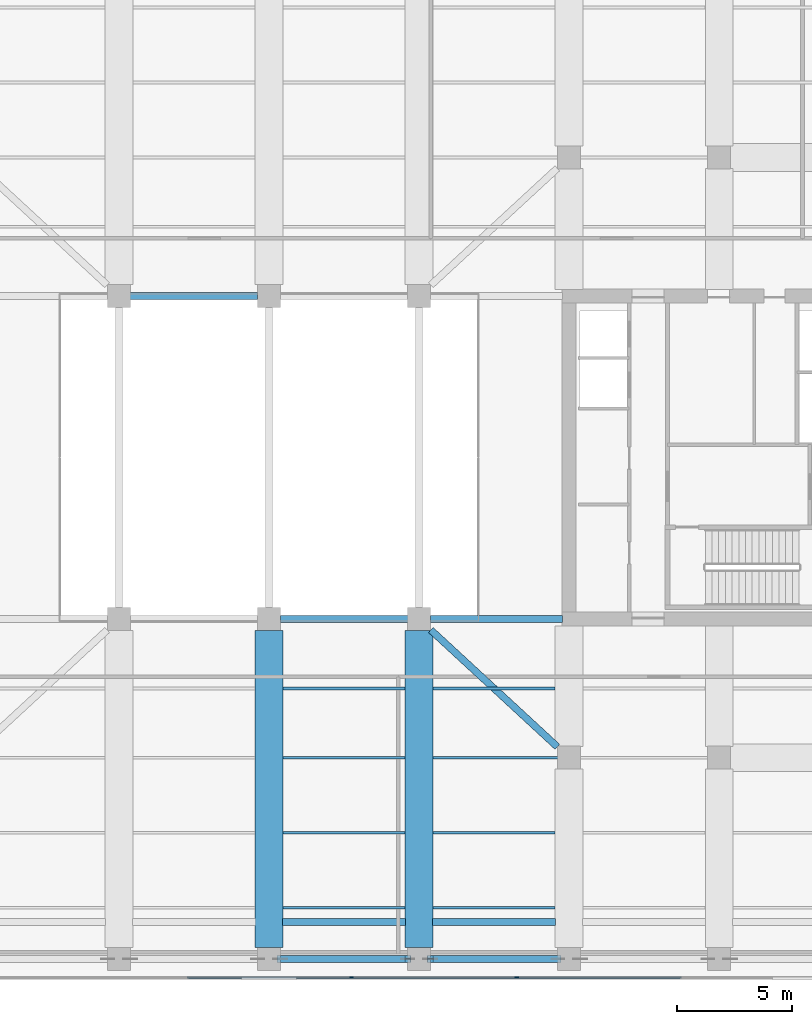
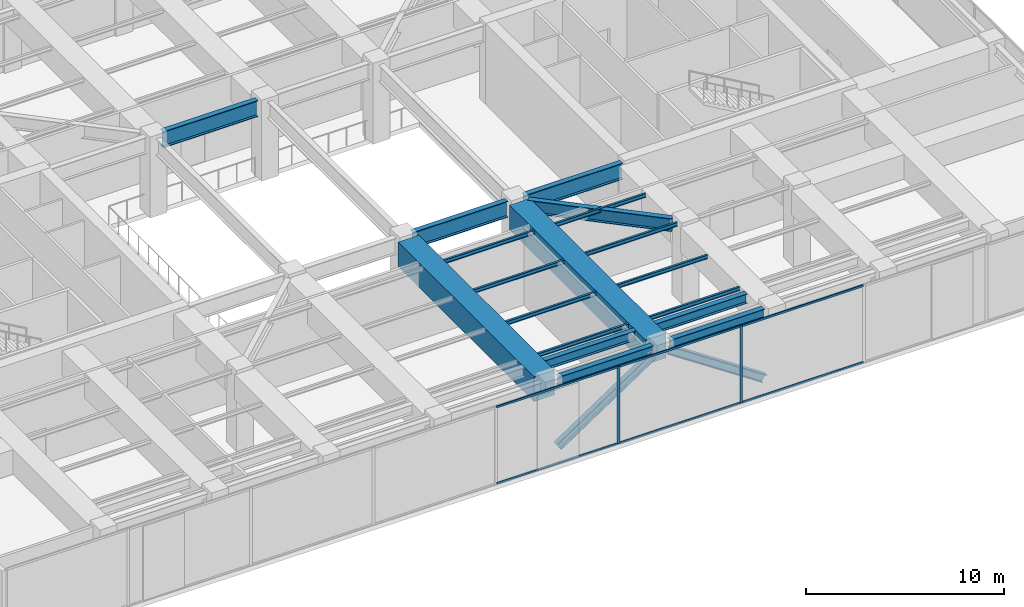
# One storey, part 5 of 28: 18 beams, 10 members, 1 element without a shape of its own.
"""IFC4 building model written with IfcOpenShell, lengths in metres."""

from ifc_helpers import new_model, si_unit, direction, frame, origin, origin_2d, place, context, subcontext, project, spatial, rectangle, i_section, extrude, material, layer, layer_set, material_profile, profile_set, type_object, element, aggregate, save


model = new_model("IFC4")

# Units and contexts
model_context = context("Model", 3, precision=1e-05, world=origin(), true_north=direction((0.0, 1.0)))
body_context = subcontext(model_context, "Body", "Model", "MODEL_VIEW")
ifc_project = project(units=[si_unit("LENGTHUNIT", "METRE"), si_unit("AREAUNIT", "SQUARE_METRE"), si_unit("VOLUMEUNIT", "CUBIC_METRE"), si_unit("PLANEANGLEUNIT", "RADIAN"), si_unit("MASSUNIT", "GRAM", prefix="KILO")], contexts=[model_context])

# Site, building, storey
site_placement = place(None, origin())
site = spatial("IfcSite", under=ifc_project, at=site_placement, CompositionType="ELEMENT")
building_placement = place(site_placement, origin())
building = spatial("IfcBuilding", under=site, at=building_placement, Name="Putna Gate Headquarters", CompositionType="ELEMENT")
storey_placement = place(building_placement, frame((0.0, 0.0, 197.39990234375)))
storey = spatial("IfcBuildingStorey", under=building, at=storey_placement, Name="L49", CompositionType="ELEMENT", Elevation=197.39990234375)

# Beams
ifc_material_1 = material(Name="Steel S355J2", Category="steel")
ifc_material_profile_1 = material_profile(ifc_material_1, i_section(OverallWidth=0.300048828125, OverallDepth=0.800048828125, WebThickness=0.017578125, FlangeThickness=0.032958984375, at=origin_2d()), Name="Steel S355J2")
ifc_profile_set_1 = profile_set([ifc_material_profile_1], Name="Steel S355J2")
beam_type_1 = type_object("IfcBeamType", Name="BM-GIRD-P-HEB800", PredefinedType="USERDEFINED", material=ifc_profile_set_1)
beam_1_placement = place(storey_placement, frame((51.489501953125, 13.47119140625, 4.380126953125), z_axis=(-0.734798423453, 0.678285542298, 0.0), x_axis=(-0.678285542298, -0.734798423453, 0.0)))
element("IfcBeam", 1, at=beam_1_placement, inside=storey, type_object=beam_type_1, Name="L49 Core Flank Collector Tie Girder SE", ObjectType="GIRDER", PredefinedType="USERDEFINED", context=body_context, shape_type="SweptSolid", body=[
    extrude(i_section(OverallWidth=0.300048828125, OverallDepth=0.800048828125, WebThickness=0.017578125, FlangeThickness=0.032958984375, at=origin_2d()), origin(), (0.0, 0.0, 1.0), 7.45654296875),
])
ifc_material_profile_2 = material_profile(ifc_material_1, i_section(OverallWidth=0.1201171875, OverallDepth=0.239990234375, WebThickness=0.006103515625, FlangeThickness=0.009765625, at=origin_2d()), Name="Steel S355J2")
ifc_profile_set_2 = profile_set([ifc_material_profile_2], Name="Steel S355J2")
beam_type_2 = type_object("IfcBeamType", Name="BM-SEC-Z4-IPE240", PredefinedType="JOIST", material=ifc_profile_set_2)
for number, where, z_axis, x_axis, name in (
    (2, (39.60400390625, 6.5, 4.66015625), (1.0, 0.0, 0.0), (0.0, 1.0, 0.0), "L49 South Secondary Beam 5"),
    (3, (39.60400390625, 9.75, 4.66015625), (1.0, 0.0, 0.0), (0.0, 1.0, 0.0), "L49 South Secondary Beam 5"),
    (4, (39.60400390625, 13.0, 4.66015625), (1.0, 0.0, 0.0), (0.0, 1.0, 0.0), "L49 South Secondary Beam 5"),
    (5, (39.60400390625, 16.0, 4.66015625), (1.0, 0.0, 0.0), (0.0, 1.0, 0.0), "L49 South Secondary Beam 5"),
    (6, (46.10400390625, 6.5, 4.66015625), (1.0, 0.0, 0.0), (0.0, 1.0, 0.0), "L49 South Secondary Beam 6"),
    (7, (46.10400390625, 9.75, 4.66015625), (1.0, 0.0, 0.0), (0.0, 1.0, 0.0), "L49 South Secondary Beam 6"),
):
    element("IfcBeam", number, at=place(storey_placement, frame(where, z_axis=z_axis, x_axis=x_axis)), inside=storey, type_object=beam_type_2, Name=name, PredefinedType="JOIST", context=body_context, shape_type="SweptSolid", body=[
        extrude(i_section(OverallWidth=0.1201171875, OverallDepth=0.239990234375, WebThickness=0.006103515625, FlangeThickness=0.009765625, at=origin_2d()), origin(), (0.0, 0.0, 1.0), 5.2919921875),
    ])
beam_2_placement = place(storey_placement, frame((46.10400390625, 13.0, 4.66015625), z_axis=(1.0, 0.0, 0.0), x_axis=(0.0, 1.0, 0.0)))
element("IfcBeam", 8, at=beam_2_placement, inside=storey, type_object=beam_type_2, Name="L49 South Secondary Beam 6", PredefinedType="JOIST", context=body_context, shape_type="SweptSolid", body=[
    extrude(i_section(OverallWidth=0.1201171875, OverallDepth=0.239990234375, WebThickness=0.006103515625, FlangeThickness=0.009765625, at=origin_2d()), origin(), (0.0, 0.0, 1.0), 5.407958984375),
])
beam_3_placement = place(storey_placement, frame((46.10400390625, 16.0, 4.66015625), z_axis=(1.0, 0.0, 0.0), x_axis=(0.0, 1.0, 0.0)))
element("IfcBeam", 9, at=beam_3_placement, inside=storey, type_object=beam_type_2, Name="L49 South Secondary Beam 6", PredefinedType="JOIST", context=body_context, shape_type="SweptSolid", body=[
    extrude(i_section(OverallWidth=0.1201171875, OverallDepth=0.239990234375, WebThickness=0.006103515625, FlangeThickness=0.009765625, at=origin_2d()), origin(), (0.0, 0.0, 1.0), 5.2919921875),
])
ifc_material_profile_3 = material_profile(ifc_material_1, i_section(OverallWidth=0.300048828125, OverallDepth=0.590087890625, WebThickness=0.012939453125, FlangeThickness=0.02490234375, at=origin_2d()), Name="Steel S355J2")
ifc_profile_set_3 = profile_set([ifc_material_profile_3], Name="Steel S355J2")
beam_type_3 = type_object("IfcBeamType", Name="BM-SPAN-Z4-HEA600", PredefinedType="SPANDREL", material=ifc_profile_set_3)
for number, where, z_axis, x_axis, name in (
    (10, (39.488037109375, 4.280029296875, 4.485107421875), (1.0, 0.0, 0.0), (0.0, 1.0, 0.0), "L49 S Perimeter Spandrel 5"),
    (11, (45.988037109375, 4.280029296875, 4.485107421875), (1.0, 0.0, 0.0), (0.0, 1.0, 0.0), "L49 S Perimeter Spandrel 6"),
):
    element("IfcBeam", number, at=place(storey_placement, frame(where, z_axis=z_axis, x_axis=x_axis)), inside=storey, type_object=beam_type_3, Name=name, PredefinedType="SPANDREL", context=body_context, shape_type="SweptSolid", body=[
        extrude(i_section(OverallWidth=0.300048828125, OverallDepth=0.590087890625, WebThickness=0.012939453125, FlangeThickness=0.02490234375, at=origin_2d()), origin(), (0.0, 0.0, 1.0), 5.52392578125),
    ])
for number, where, z_axis, x_axis, name in (
    (12, (39.5849609375, 5.8798828125, 4.485107421875), (1.0, 0.0, 0.0), (0.0, 1.0, 0.0), "L49 Setback Edge Beam S5"),
    (13, (46.0849609375, 5.8798828125, 4.485107421875), (1.0, 0.0, 0.0), (0.0, 1.0, 0.0), "L49 Setback Edge Beam S6"),
):
    element("IfcBeam", number, at=place(storey_placement, frame(where, z_axis=z_axis, x_axis=x_axis)), inside=storey, type_object=beam_type_3, Name=name, PredefinedType="SPANDREL", context=body_context, shape_type="SweptSolid", body=[
        extrude(i_section(OverallWidth=0.300048828125, OverallDepth=0.590087890625, WebThickness=0.012939453125, FlangeThickness=0.02490234375, at=origin_2d()), origin(), (0.0, 0.0, 1.0), 5.330078125),
    ])
ifc_material_2 = material(Name="Steel S460M", Category="steel")
ifc_material_profile_4 = material_profile(ifc_material_2, i_section(OverallWidth=0.302001953125, OverallDepth=1.008056640625, WebThickness=0.02099609375, FlangeThickness=0.0400390625, at=origin_2d()), Name="Steel S460M")
ifc_profile_set_4 = profile_set([ifc_material_profile_4], Name="Steel S460M")
beam_type_4 = type_object("IfcBeamType", Name="BM-TG-HEM1000", PredefinedType="USERDEFINED", material=ifc_profile_set_4)
beam_4_placement = place(storey_placement, frame((39.488037109375, 19.0, 4.276123046875), z_axis=(1.0, 0.0, 0.0), x_axis=(0.0, 1.0, 0.0)))
element("IfcBeam", 14, at=beam_4_placement, inside=storey, type_object=beam_type_4, Name="L49 Atrium Edge Beam AS3", ObjectType="GIRDER", PredefinedType="USERDEFINED", context=body_context, shape_type="SweptSolid", body=[
    extrude(i_section(OverallWidth=0.302001953125, OverallDepth=1.008056640625, WebThickness=0.02099609375, FlangeThickness=0.0400390625, at=origin_2d()), origin(), (0.0, 0.0, 1.0), 5.52392578125),
])
beam_5_placement = place(storey_placement, frame((45.988037109375, 19.0, 4.276123046875), z_axis=(1.0, 0.0, 0.0), x_axis=(0.0, 1.0, 0.0)))
element("IfcBeam", 15, at=beam_5_placement, inside=storey, type_object=beam_type_4, Name="L49 Atrium Edge Beam AS4", ObjectType="GIRDER", PredefinedType="USERDEFINED", context=body_context, shape_type="SweptSolid", body=[
    extrude(i_section(OverallWidth=0.302001953125, OverallDepth=1.008056640625, WebThickness=0.02099609375, FlangeThickness=0.0400390625, at=origin_2d()), origin(), (0.0, 0.0, 1.0), 5.72705078125),
])
beam_6_placement = place(storey_placement, frame((32.988037109375, 33.0, 4.276123046875), z_axis=(1.0, 0.0, 0.0), x_axis=(0.0, 1.0, 0.0)))
element("IfcBeam", 16, at=beam_6_placement, inside=storey, type_object=beam_type_4, Name="L49 Atrium Edge Beam AN2", ObjectType="GIRDER", PredefinedType="USERDEFINED", context=body_context, shape_type="SweptSolid", body=[
    extrude(i_section(OverallWidth=0.302001953125, OverallDepth=1.008056640625, WebThickness=0.02099609375, FlangeThickness=0.0400390625, at=origin_2d()), origin(), (0.0, 0.0, 1.0), 5.52392578125),
])
ifc_material_3 = material(Name="Concrete C50/60", Category="concrete")
ifc_material_profile_5 = material_profile(ifc_material_3, rectangle(XDim=1.199951171875, YDim=1.52001953125, at=origin_2d()), Name="Concrete C50/60")
ifc_profile_set_5 = profile_set([ifc_material_profile_5], Name="Concrete C50/60")
beam_type_5 = type_object("IfcBeamType", Name="BM-TG-RC1520", PredefinedType="USERDEFINED", material=ifc_profile_set_5)
for number, where, z_axis, x_axis, name in (
    (17, (39.0, 4.76806640625, 4.02001953125), (0.0, 1.0, 0.0), (-1.0, 0.0, 0.0), "L49 South Primary Girder X39"),
    (18, (45.5, 4.76806640625, 4.02001953125), (0.0, 1.0, 0.0), (-1.0, 0.0, 0.0), "L49 South Primary Girder X45"),
):
    element("IfcBeam", number, at=place(storey_placement, frame(where, z_axis=z_axis, x_axis=x_axis)), inside=storey, type_object=beam_type_5, Name=name, ObjectType="GIRDER", PredefinedType="USERDEFINED", context=body_context, shape_type="SweptSolid", body=[
        extrude(rectangle(XDim=1.199951171875, YDim=1.52001953125, at=origin_2d()), origin(), (0.0, 0.0, 1.0), 13.743896484375),
    ])

# Members
ifc_material_profile_6 = material_profile(ifc_material_2, i_section(OverallWidth=0.306884765625, OverallDepth=0.47802734375, WebThickness=0.02099609375, FlangeThickness=0.0400390625, at=origin_2d()), Name="Steel S460M")
ifc_profile_set_6 = profile_set([ifc_material_profile_6], Name="Steel S460M")
member_type_1 = type_object("IfcMemberType", Name="MEM-BELT-DIAG-HEM450", PredefinedType="BRACE", material=ifc_profile_set_6)
for number, where, z_axis, x_axis, name in (
    (19, (39.485107421875, 4.280029296875, 0.4501953125), (0.832508038541, 0.0, 0.554012965339), (0.0, 1.0, 0.0), "L49 Belt Truss Diagonal S5"),
    (20, (45.985107421875, 4.280029296875, 4.130126953125), (0.832508038541, 0.0, -0.554012965339), (0.0, 1.0, 0.0), "L49 Belt Truss Diagonal S6"),
):
    element("IfcMember", number, at=place(storey_placement, frame(where, z_axis=z_axis, x_axis=x_axis)), inside=storey, type_object=member_type_1, Name=name, PredefinedType="BRACE", context=body_context, shape_type="SweptSolid", body=[
        extrude(i_section(OverallWidth=0.306884765625, OverallDepth=0.47802734375, WebThickness=0.02099609375, FlangeThickness=0.0400390625, at=origin_2d()), origin(), (0.0, 0.0, 1.0), 6.642333984375),
    ])

# Curtain wall, members
ifc_material_4 = material(Name="Anodised bronze aluminium curtain wall", Category="aluminium")
ifc_layer = layer(ifc_material_4, 0.159912109375)
ifc_layer_set = layer_set([ifc_layer], Name="Anodised bronze aluminium curtain wall")
curtain_wall_type = type_object("IfcCurtainWallType", Name="CW-SYS-CRN", PredefinedType="USERDEFINED", material=ifc_layer_set)
curtain_wall_placement = place(storey_placement, origin())
curtain_wall = element("IfcCurtainWall", 21, at=curtain_wall_placement, inside=storey, type_object=curtain_wall_type, Name="L49 Acoustic Louvre South Enclosure", ObjectType="STICK CURTAIN WALL", PredefinedType="USERDEFINED")
ifc_material_5 = material(Name="Anodised bronze aluminium EN AW-6060", Category="aluminium")
ifc_material_profile_7 = material_profile(ifc_material_5, rectangle(XDim=0.06494140625, YDim=0.159912109375, at=origin_2d()), Name="Anodised bronze aluminium EN AW-6060")
ifc_profile_set_7 = profile_set([ifc_material_profile_7], Name="Anodised bronze aluminium EN AW-6060")
member_type_2 = type_object("IfcMemberType", Name="MULL-CWM-CR", PredefinedType="MULLION", material=ifc_profile_set_7)
member_1_placement = place(storey_placement, frame((42.577880859375, 3.47998046875, 0.0), z_axis=(0.0, 0.0, 1.0), x_axis=(0.0, 1.0, 0.0)))
member_1 = element("IfcMember", 22, at=member_1_placement, type_object=member_type_2, Name="CWS-CR mullion 6", PredefinedType="MULLION", context=body_context, shape_type="SweptSolid", body=[
    extrude(rectangle(XDim=0.06494140625, YDim=0.159912109375, at=origin_2d()), origin(), (0.0, 0.0, 1.0), 4.780029296875),
])
member_2_placement = place(storey_placement, frame((49.7333984375, 3.47998046875, 0.0), z_axis=(0.0, 0.0, 1.0), x_axis=(0.0, 1.0, 0.0)))
member_2 = element("IfcMember", 23, at=member_2_placement, type_object=member_type_2, Name="CWS-CR mullion 7", PredefinedType="MULLION", context=body_context, shape_type="SweptSolid", body=[
    extrude(rectangle(XDim=0.06494140625, YDim=0.159912109375, at=origin_2d()), origin(), (0.0, 0.0, 1.0), 4.780029296875),
])
ifc_material_profile_8 = material_profile(ifc_material_5, rectangle(XDim=0.06494140625, YDim=0.1201171875, at=origin_2d()), Name="Anodised bronze aluminium EN AW-6060")
ifc_profile_set_8 = profile_set([ifc_material_profile_8], Name="Anodised bronze aluminium EN AW-6060")
member_type_3 = type_object("IfcMemberType", Name="TRAN-CWT-CR", PredefinedType="USERDEFINED", material=ifc_profile_set_8)
member_3_placement = place(storey_placement, frame((35.454833984375, 3.47998046875, 0.03271484375), z_axis=(1.0, 0.0, 0.0), x_axis=(0.0, 1.0, 0.0)))
member_3 = element("IfcMember", 24, at=member_3_placement, type_object=member_type_3, Name="CWS-CR transom 5.1", ObjectType="TRANSOM", PredefinedType="USERDEFINED", context=body_context, shape_type="SweptSolid", body=[
    extrude(rectangle(XDim=0.06494140625, YDim=0.1201171875, at=origin_2d()), origin(), (0.0, 0.0, 1.0), 7.09033203125),
])
member_4_placement = place(storey_placement, frame((35.454833984375, 3.47998046875, 4.74755859375), z_axis=(1.0, 0.0, 0.0), x_axis=(0.0, 1.0, 0.0)))
member_4 = element("IfcMember", 25, at=member_4_placement, type_object=member_type_3, Name="CWS-CR transom 5.2", ObjectType="TRANSOM", PredefinedType="USERDEFINED", context=body_context, shape_type="SweptSolid", body=[
    extrude(rectangle(XDim=0.06494140625, YDim=0.1201171875, at=origin_2d()), origin(), (0.0, 0.0, 1.0), 7.09033203125),
])
member_5_placement = place(storey_placement, frame((42.6103515625, 3.47998046875, 0.03271484375), z_axis=(1.0, 0.0, 0.0), x_axis=(0.0, 1.0, 0.0)))
member_5 = element("IfcMember", 26, at=member_5_placement, type_object=member_type_3, Name="CWS-CR transom 6.1", ObjectType="TRANSOM", PredefinedType="USERDEFINED", context=body_context, shape_type="SweptSolid", body=[
    extrude(rectangle(XDim=0.06494140625, YDim=0.1201171875, at=origin_2d()), origin(), (0.0, 0.0, 1.0), 7.090576171875),
])
member_6_placement = place(storey_placement, frame((42.6103515625, 3.47998046875, 4.74755859375), z_axis=(1.0, 0.0, 0.0), x_axis=(0.0, 1.0, 0.0)))
member_6 = element("IfcMember", 27, at=member_6_placement, type_object=member_type_3, Name="CWS-CR transom 6.2", ObjectType="TRANSOM", PredefinedType="USERDEFINED", context=body_context, shape_type="SweptSolid", body=[
    extrude(rectangle(XDim=0.06494140625, YDim=0.1201171875, at=origin_2d()), origin(), (0.0, 0.0, 1.0), 7.090576171875),
])
member_7_placement = place(storey_placement, frame((49.765869140625, 3.47998046875, 0.03271484375), z_axis=(1.0, 0.0, 0.0), x_axis=(0.0, 1.0, 0.0)))
member_7 = element("IfcMember", 28, at=member_7_placement, type_object=member_type_3, Name="CWS-CR transom 7.1", ObjectType="TRANSOM", PredefinedType="USERDEFINED", context=body_context, shape_type="SweptSolid", body=[
    extrude(rectangle(XDim=0.06494140625, YDim=0.1201171875, at=origin_2d()), origin(), (0.0, 0.0, 1.0), 7.090576171875),
])
member_8_placement = place(storey_placement, frame((49.765869140625, 3.47998046875, 4.74755859375), z_axis=(1.0, 0.0, 0.0), x_axis=(0.0, 1.0, 0.0)))
member_8 = element("IfcMember", 29, at=member_8_placement, type_object=member_type_3, Name="CWS-CR transom 7.2", ObjectType="TRANSOM", PredefinedType="USERDEFINED", context=body_context, shape_type="SweptSolid", body=[
    extrude(rectangle(XDim=0.06494140625, YDim=0.1201171875, at=origin_2d()), origin(), (0.0, 0.0, 1.0), 7.090576171875),
])
aggregate(curtain_wall, [member_1, member_2, member_3, member_4, member_5, member_6, member_7, member_8])

save(model, "model.ifc")
